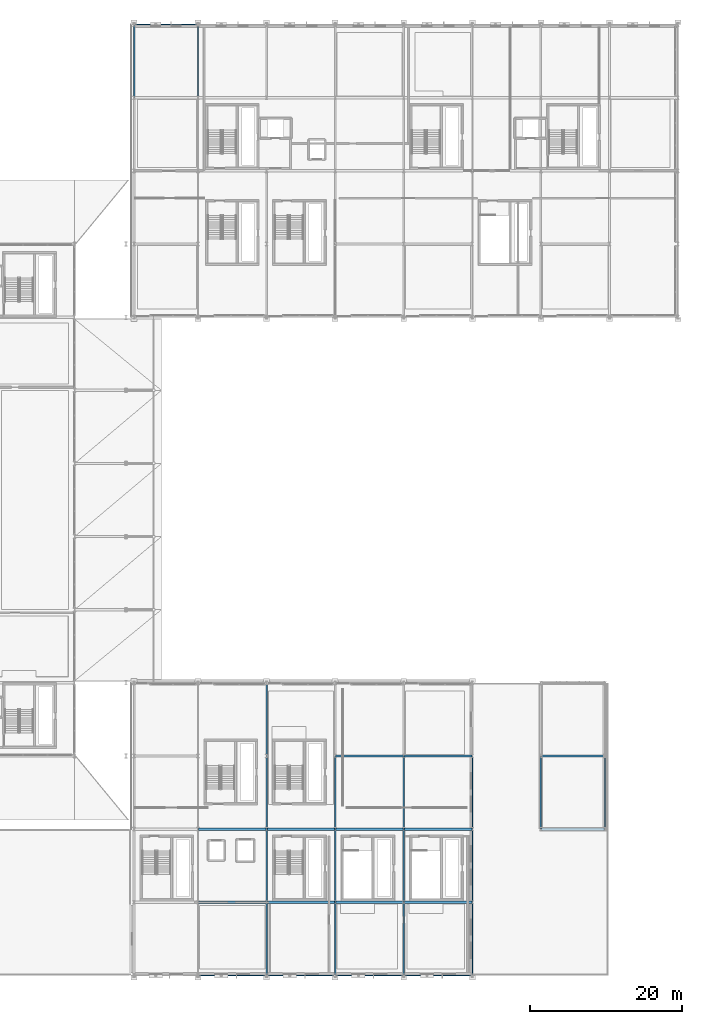
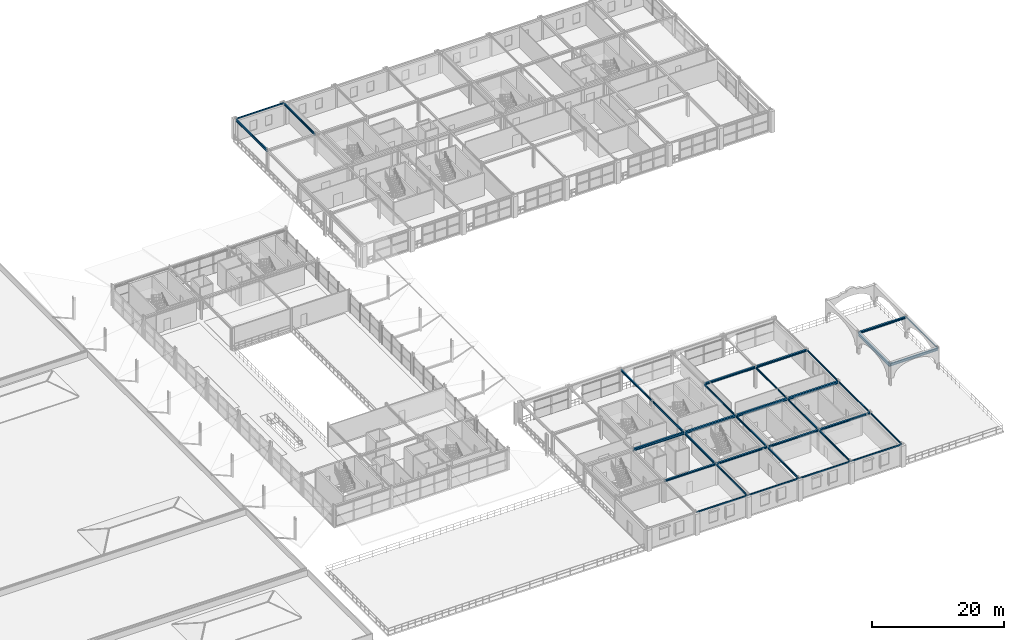
# One storey, part 27 of 81: 34 beams.
"""IFC4 building model written with IfcOpenShell, lengths in metres."""

from ifc_helpers import new_model, si_unit, direction, frame, origin, origin_2d, place, context, subcontext, project, spatial, hollow_rectangle, i_section, extrude, material, material_profile, profile_set, type_object, element, save


model = new_model("IFC4")

# Units and contexts
model_context = context("Model", 3, precision=1e-05, world=origin(), true_north=direction((0.0, 1.0)))
body_context = subcontext(model_context, "Body", "Model", "MODEL_VIEW")
ifc_project = project(units=[si_unit("LENGTHUNIT", "METRE"), si_unit("AREAUNIT", "SQUARE_METRE"), si_unit("VOLUMEUNIT", "CUBIC_METRE"), si_unit("PLANEANGLEUNIT", "RADIAN"), si_unit("MASSUNIT", "GRAM", prefix="KILO")], contexts=[model_context])

# Site, building, storey
site_placement = place(None, origin())
site = spatial("IfcSite", under=ifc_project, at=site_placement, CompositionType="ELEMENT")
building_placement = place(site_placement, origin())
building = spatial("IfcBuilding", under=site, at=building_placement, Name="Myrtia Square Station", CompositionType="ELEMENT")
storey_placement = place(building_placement, frame((0.0, 0.0, 10.800048828125)))
storey = spatial("IfcBuildingStorey", under=building, at=storey_placement, Name="L02", CompositionType="ELEMENT", Elevation=10.800048828125)

# Beams
ifc_material = material(Name="Steel S355", Category="steel")
ifc_material_profile_1 = material_profile(ifc_material, i_section(OverallWidth=0.300048828125, OverallDepth=0.35009765625, WebThickness=0.010009765625, FlangeThickness=0.017578125, FilletRadius=0.027099609375, at=origin_2d()), Name="HEA 360")
ifc_profile_set_1 = profile_set([ifc_material_profile_1], Name="Steel S355")
beam_type_1 = type_object("IfcBeamType", Name="BM-HEA360", PredefinedType="BEAM", material=ifc_profile_set_1)
for number, where, z_axis, x_axis, name in (
    (1, (144.050048828125, 28.800048828125, 3.760009765625), (1.0, 0.0, 0.0), (0.0, 1.0, 0.0), "Structural girder BMX-L02-0723"),
    (2, (153.050048828125, 28.800048828125, 3.760009765625), (1.0, 0.0, 0.0), (0.0, 1.0, 0.0), "Structural girder BMX-L02-0724"),
):
    element("IfcBeam", number, at=place(storey_placement, frame(where, z_axis=z_axis, x_axis=x_axis)), inside=storey, type_object=beam_type_1, Name=name, PredefinedType="BEAM", context=body_context, shape_type="SweptSolid", body=[
        extrude(i_section(OverallWidth=0.300048828125, OverallDepth=0.35009765625, WebThickness=0.010009765625, FlangeThickness=0.017578125, FilletRadius=0.027099609375, at=origin_2d()), origin(), (0.0, 0.0, 1.0), 8.89990234375),
    ])
beam_1_placement = place(storey_placement, frame((171.050048828125, 28.800048828125, 3.780029296875), z_axis=(1.0, 0.0, 0.0), x_axis=(0.0, 1.0, 0.0)))
element("IfcBeam", 3, at=beam_1_placement, inside=storey, type_object=beam_type_1, Name="Structural girder BMX-L02-0725", PredefinedType="BEAM", context=body_context, shape_type="SweptSolid", body=[
    extrude(i_section(OverallWidth=0.300048828125, OverallDepth=0.35009765625, WebThickness=0.010009765625, FlangeThickness=0.017578125, FilletRadius=0.027099609375, at=origin_2d()), origin(), (0.0, 0.0, 1.0), 8.300048828125),
])
ifc_material_profile_2 = material_profile(ifc_material, i_section(OverallWidth=0.300048828125, OverallDepth=0.43994140625, WebThickness=0.011474609375, FlangeThickness=0.02099609375, FilletRadius=0.027099609375, at=origin_2d()), Name="HEA 450")
ifc_profile_set_2 = profile_set([ifc_material_profile_2], Name="Steel S355")
beam_type_2 = type_object("IfcBeamType", Name="BM-HEA450", PredefinedType="BEAM", material=ifc_profile_set_2)
for number, where, z_axis, x_axis, name in (
    (4, (126.050048828125, 19.199951171875, 3.739990234375), (1.0, 0.0, 0.0), (0.0, 1.0, 0.0), "Structural girder BMX-L02-0717"),
    (5, (135.050048828125, 19.199951171875, 3.739990234375), (1.0, 0.0, 0.0), (0.0, 1.0, 0.0), "Structural girder BMX-L02-0718"),
    (6, (144.050048828125, 19.199951171875, 3.71484375), (1.0, 0.0, 0.0), (0.0, 1.0, 0.0), "Structural girder BMX-L02-0719"),
    (7, (153.050048828125, 19.199951171875, 3.71484375), (1.0, 0.0, 0.0), (0.0, 1.0, 0.0), "Structural girder BMX-L02-0720"),
):
    element("IfcBeam", number, at=place(storey_placement, frame(where, z_axis=z_axis, x_axis=x_axis)), inside=storey, type_object=beam_type_2, Name=name, PredefinedType="BEAM", context=body_context, shape_type="SweptSolid", body=[
        extrude(i_section(OverallWidth=0.300048828125, OverallDepth=0.43994140625, WebThickness=0.011474609375, FlangeThickness=0.02099609375, FilletRadius=0.027099609375, at=origin_2d()), origin(), (0.0, 0.0, 1.0), 8.89990234375),
    ])
beam_2_placement = place(storey_placement, frame((171.050048828125, 19.199951171875, 3.73486328125), z_axis=(1.0, 0.0, 0.0), x_axis=(0.0, 1.0, 0.0)))
element("IfcBeam", 8, at=beam_2_placement, inside=storey, type_object=beam_type_2, Name="Structural girder BMX-L02-0721", PredefinedType="BEAM", context=body_context, shape_type="SweptSolid", body=[
    extrude(i_section(OverallWidth=0.300048828125, OverallDepth=0.43994140625, WebThickness=0.011474609375, FlangeThickness=0.02099609375, FilletRadius=0.027099609375, at=origin_2d()), origin(), (0.0, 0.0, 1.0), 8.300048828125),
])
ifc_material_profile_3 = material_profile(ifc_material, i_section(OverallWidth=0.300048828125, OverallDepth=0.300048828125, WebThickness=0.010986328125, FlangeThickness=0.01904296875, FilletRadius=0.027099609375, at=origin_2d()), Name="HEB 300")
ifc_profile_set_3 = profile_set([ifc_material_profile_3], Name="Steel S355")
beam_type_3 = type_object("IfcBeamType", Name="BM-HEB300", PredefinedType="BEAM", material=ifc_profile_set_3)
for number, where, z_axis, x_axis, name in (
    (9, (126.050048828125, 9.60009765625, 3.81005859375), (1.0, 0.0, 0.0), (0.0, 1.0, 0.0), "Structural girder BMX-L02-0712"),
    (10, (135.050048828125, 9.60009765625, 3.81005859375), (1.0, 0.0, 0.0), (0.0, 1.0, 0.0), "Structural girder BMX-L02-0713"),
    (11, (144.050048828125, 9.60009765625, 3.784912109375), (1.0, 0.0, 0.0), (0.0, 1.0, 0.0), "Structural girder BMX-L02-0714"),
    (12, (153.050048828125, 9.60009765625, 3.784912109375), (1.0, 0.0, 0.0), (0.0, 1.0, 0.0), "Structural girder BMX-L02-0715"),
):
    element("IfcBeam", number, at=place(storey_placement, frame(where, z_axis=z_axis, x_axis=x_axis)), inside=storey, type_object=beam_type_3, Name=name, PredefinedType="BEAM", context=body_context, shape_type="SweptSolid", body=[
        extrude(i_section(OverallWidth=0.300048828125, OverallDepth=0.300048828125, WebThickness=0.010986328125, FlangeThickness=0.01904296875, FilletRadius=0.027099609375, at=origin_2d()), origin(), (0.0, 0.0, 1.0), 8.89990234375),
    ])
ifc_material_profile_4 = material_profile(ifc_material, i_section(OverallWidth=0.135009765625, OverallDepth=0.27001953125, WebThickness=0.006591796875, FlangeThickness=0.01025390625, FilletRadius=0.014892578125, at=origin_2d()), Name="IPE 270")
ifc_profile_set_4 = profile_set([ifc_material_profile_4], Name="Steel S355")
beam_type_4 = type_object("IfcBeamType", Name="BM-IPE270", PredefinedType="BEAM", material=ifc_profile_set_4)
for number, where, z_axis, x_axis, name in (
    (13, (162.0, 0.050048828125, 3.800048828125), (0.0, 1.0, 0.0), (-1.0, 0.0, 0.0), "Structural girder BMY-L02-0746"),
    (14, (162.0, 9.64990234375, 3.800048828125), (0.0, 1.0, 0.0), (-1.0, 0.0, 0.0), "Structural girder BMY-L02-0747"),
    (15, (162.0, 19.25, 3.800048828125), (0.0, 1.0, 0.0), (-1.0, 0.0, 0.0), "Structural girder BMY-L02-0748"),
):
    element("IfcBeam", number, at=place(storey_placement, frame(where, z_axis=z_axis, x_axis=x_axis)), inside=storey, type_object=beam_type_4, Name=name, PredefinedType="BEAM", context=body_context, shape_type="SweptSolid", body=[
        extrude(i_section(OverallWidth=0.135009765625, OverallDepth=0.27001953125, WebThickness=0.006591796875, FlangeThickness=0.01025390625, FilletRadius=0.014892578125, at=origin_2d()), origin(), (0.0, 0.0, 1.0), 9.5),
    ])
ifc_material_profile_5 = material_profile(ifc_material, i_section(OverallWidth=0.14990234375, OverallDepth=0.300048828125, WebThickness=0.007080078125, FlangeThickness=0.0107421875, FilletRadius=0.014892578125, at=origin_2d()), Name="IPE 300")
ifc_profile_set_5 = profile_set([ifc_material_profile_5], Name="Steel S355")
beam_type_5 = type_object("IfcBeamType", Name="BM-IPE300", PredefinedType="BEAM", material=ifc_profile_set_5)
for number, where, z_axis, x_axis, name in (
    (16, (153.0, 0.050048828125, 3.784912109375), (0.0, 1.0, 0.0), (-1.0, 0.0, 0.0), "Structural girder BMY-L02-0742"),
    (17, (153.0, 9.64990234375, 3.784912109375), (0.0, 1.0, 0.0), (-1.0, 0.0, 0.0), "Structural girder BMY-L02-0743"),
    (18, (153.0, 19.25, 3.784912109375), (0.0, 1.0, 0.0), (-1.0, 0.0, 0.0), "Structural girder BMY-L02-0744"),
):
    element("IfcBeam", number, at=place(storey_placement, frame(where, z_axis=z_axis, x_axis=x_axis)), inside=storey, type_object=beam_type_5, Name=name, PredefinedType="BEAM", context=body_context, shape_type="SweptSolid", body=[
        extrude(i_section(OverallWidth=0.14990234375, OverallDepth=0.300048828125, WebThickness=0.007080078125, FlangeThickness=0.0107421875, FilletRadius=0.014892578125, at=origin_2d()), origin(), (0.0, 0.0, 1.0), 9.5),
    ])
ifc_material_profile_6 = material_profile(ifc_material, i_section(OverallWidth=0.159912109375, OverallDepth=0.330078125, WebThickness=0.007568359375, FlangeThickness=0.011474609375, FilletRadius=0.01806640625, at=origin_2d()), Name="IPE 330")
ifc_profile_set_6 = profile_set([ifc_material_profile_6], Name="Steel S355")
beam_type_6 = type_object("IfcBeamType", Name="BM-IPE330", PredefinedType="BEAM", material=ifc_profile_set_6)
for number, where, z_axis, x_axis, name in (
    (19, (144.0, 0.050048828125, 3.77001953125), (0.0, 1.0, 0.0), (-1.0, 0.0, 0.0), "Structural girder BMY-L02-0738"),
    (20, (144.0, 9.64990234375, 3.77001953125), (0.0, 1.0, 0.0), (-1.0, 0.0, 0.0), "Structural girder BMY-L02-0739"),
    (21, (144.0, 19.25, 3.77001953125), (0.0, 1.0, 0.0), (-1.0, 0.0, 0.0), "Structural girder BMY-L02-0740"),
):
    element("IfcBeam", number, at=place(storey_placement, frame(where, z_axis=z_axis, x_axis=x_axis)), inside=storey, type_object=beam_type_6, Name=name, PredefinedType="BEAM", context=body_context, shape_type="SweptSolid", body=[
        extrude(i_section(OverallWidth=0.159912109375, OverallDepth=0.330078125, WebThickness=0.007568359375, FlangeThickness=0.011474609375, FilletRadius=0.01806640625, at=origin_2d()), origin(), (0.0, 0.0, 1.0), 9.5),
    ])
ifc_material_profile_7 = material_profile(ifc_material, i_section(OverallWidth=0.169921875, OverallDepth=0.360107421875, WebThickness=0.008056640625, FlangeThickness=0.0126953125, FilletRadius=0.01806640625, at=origin_2d()), Name="IPE 360")
ifc_profile_set_7 = profile_set([ifc_material_profile_7], Name="Steel S355")
beam_type_7 = type_object("IfcBeamType", Name="BM-IPE360", PredefinedType="BEAM", material=ifc_profile_set_7)
for number, where, z_axis, x_axis, name in (
    (22, (135.0, 0.050048828125, 3.780029296875), (0.0, 1.0, 0.0), (-1.0, 0.0, 0.0), "Structural girder BMY-L02-0734"),
    (23, (135.0, 9.64990234375, 3.780029296875), (0.0, 1.0, 0.0), (-1.0, 0.0, 0.0), "Structural girder BMY-L02-0735"),
    (24, (135.0, 19.25, 3.780029296875), (0.0, 1.0, 0.0), (-1.0, 0.0, 0.0), "Structural girder BMY-L02-0736"),
    (25, (135.0, 28.85009765625, 3.780029296875), (0.0, 1.0, 0.0), (-1.0, 0.0, 0.0), "Structural girder BMY-L02-0737"),
):
    element("IfcBeam", number, at=place(storey_placement, frame(where, z_axis=z_axis, x_axis=x_axis)), inside=storey, type_object=beam_type_7, Name=name, PredefinedType="BEAM", context=body_context, shape_type="SweptSolid", body=[
        extrude(i_section(OverallWidth=0.169921875, OverallDepth=0.360107421875, WebThickness=0.008056640625, FlangeThickness=0.0126953125, FilletRadius=0.01806640625, at=origin_2d()), origin(), (0.0, 0.0, 1.0), 9.5),
    ])
ifc_material_profile_8 = material_profile(ifc_material, i_section(OverallWidth=0.179931640625, OverallDepth=0.39990234375, WebThickness=0.008544921875, FlangeThickness=0.013427734375, FilletRadius=0.02099609375, at=origin_2d()), Name="IPE 400")
ifc_profile_set_8 = profile_set([ifc_material_profile_8], Name="Steel S355")
beam_type_8 = type_object("IfcBeamType", Name="BM-IPE400", PredefinedType="BEAM", material=ifc_profile_set_8)
beam_3_placement = place(storey_placement, frame((126.0, 115.25, 3.7548828125), z_axis=(0.0, 1.0, 0.0), x_axis=(-1.0, 0.0, 0.0)))
element("IfcBeam", 26, at=beam_3_placement, inside=storey, type_object=beam_type_8, Name="Structural girder BMY-L02-0779", PredefinedType="BEAM", context=body_context, shape_type="SweptSolid", body=[
    extrude(i_section(OverallWidth=0.179931640625, OverallDepth=0.39990234375, WebThickness=0.008544921875, FlangeThickness=0.013427734375, FilletRadius=0.02099609375, at=origin_2d()), origin(), (0.0, 0.0, 1.0), 9.5),
])
ifc_material_profile_9 = material_profile(ifc_material, i_section(OverallWidth=0.18994140625, OverallDepth=0.449951171875, WebThickness=0.009521484375, FlangeThickness=0.0146484375, FilletRadius=0.02099609375, at=origin_2d()), Name="IPE 450")
ifc_profile_set_9 = profile_set([ifc_material_profile_9], Name="Steel S355")
beam_type_9 = type_object("IfcBeamType", Name="BM-IPE450", PredefinedType="BEAM", material=ifc_profile_set_9)
beam_4_placement = place(storey_placement, frame((117.60009765625, 115.25, 3.72998046875), z_axis=(0.0, 1.0, 0.0), x_axis=(-1.0, 0.0, 0.0)))
element("IfcBeam", 27, at=beam_4_placement, inside=storey, type_object=beam_type_9, Name="Structural girder BMY-L02-0775", PredefinedType="BEAM", context=body_context, shape_type="SweptSolid", body=[
    extrude(i_section(OverallWidth=0.18994140625, OverallDepth=0.449951171875, WebThickness=0.009521484375, FlangeThickness=0.0146484375, FilletRadius=0.02099609375, at=origin_2d()), origin(), (0.0, 0.0, 1.0), 9.5),
])
ifc_material_profile_10 = material_profile(ifc_material, i_section(OverallWidth=0.219970703125, OverallDepth=0.60009765625, WebThickness=0.011962890625, FlangeThickness=0.01904296875, FilletRadius=0.02392578125, at=origin_2d()), Name="IPE 600")
ifc_profile_set_10 = profile_set([ifc_material_profile_10], Name="Steel S355")
beam_type_10 = type_object("IfcBeamType", Name="BM-IPE600", PredefinedType="BEAM", material=ifc_profile_set_10)
beam_5_placement = place(storey_placement, frame((171.0, 19.25, 3.655029296875), z_axis=(0.0, 1.0, 0.0), x_axis=(-1.0, 0.0, 0.0)))
element("IfcBeam", 28, at=beam_5_placement, inside=storey, type_object=beam_type_10, Name="Structural girder BMY-L02-0750", PredefinedType="BEAM", context=body_context, shape_type="SweptSolid", body=[
    extrude(i_section(OverallWidth=0.219970703125, OverallDepth=0.60009765625, WebThickness=0.011962890625, FlangeThickness=0.01904296875, FilletRadius=0.02392578125, at=origin_2d()), origin(), (0.0, 0.0, 1.0), 9.5),
])
ifc_material_profile_11 = material_profile(ifc_material, hollow_rectangle(XDim=0.14990234375, YDim=0.25, WallThickness=0.012451171875, InnerFilletRadius=0.012451171875, OuterFilletRadius=0.02490234375, at=origin_2d()), Name="RHS 250x150x12.5")
ifc_profile_set_11 = profile_set([ifc_material_profile_11], Name="Steel S355")
beam_type_11 = type_object("IfcBeamType", Name="SPN-RHS250", PredefinedType="SPANDREL", material=ifc_profile_set_11)
for number, where, z_axis, x_axis, name in (
    (29, (126.050048828125, 0.0, 3.8349609375), (1.0, 0.0, 0.0), (0.0, 1.0, 0.0), "Structural girder SPN-L02-0197"),
    (30, (135.050048828125, 0.0, 3.8349609375), (1.0, 0.0, 0.0), (0.0, 1.0, 0.0), "Structural girder SPN-L02-0198"),
    (31, (144.050048828125, 0.0, 3.81005859375), (1.0, 0.0, 0.0), (0.0, 1.0, 0.0), "Structural girder SPN-L02-0199"),
    (32, (153.050048828125, 0.0, 3.81005859375), (1.0, 0.0, 0.0), (0.0, 1.0, 0.0), "Structural girder SPN-L02-0200"),
):
    element("IfcBeam", number, at=place(storey_placement, frame(where, z_axis=z_axis, x_axis=x_axis)), inside=storey, type_object=beam_type_11, Name=name, PredefinedType="SPANDREL", context=body_context, shape_type="SweptSolid", body=[
        extrude(hollow_rectangle(XDim=0.14990234375, YDim=0.25, WallThickness=0.012451171875, InnerFilletRadius=0.012451171875, OuterFilletRadius=0.02490234375, at=origin_2d()), origin(), (0.0, 0.0, 1.0), 8.89990234375),
    ])
beam_6_placement = place(storey_placement, frame((179.39990234375, 19.25, 3.829833984375), z_axis=(0.0, 1.0, 0.0), x_axis=(-1.0, 0.0, 0.0)))
element("IfcBeam", 33, at=beam_6_placement, inside=storey, type_object=beam_type_11, Name="Structural girder SPNY-L02-0207", PredefinedType="SPANDREL", context=body_context, shape_type="SweptSolid", body=[
    extrude(hollow_rectangle(XDim=0.14990234375, YDim=0.25, WallThickness=0.012451171875, InnerFilletRadius=0.012451171875, OuterFilletRadius=0.02490234375, at=origin_2d()), origin(), (0.0, 0.0, 1.0), 9.5),
])
beam_7_placement = place(storey_placement, frame((117.64990234375, 124.800048828125, 3.829833984375), z_axis=(1.0, 0.0, 0.0), x_axis=(0.0, 1.0, 0.0)))
element("IfcBeam", 34, at=beam_7_placement, inside=storey, type_object=beam_type_11, Name="Structural girder SPN-L02-0217", PredefinedType="SPANDREL", context=body_context, shape_type="SweptSolid", body=[
    extrude(hollow_rectangle(XDim=0.14990234375, YDim=0.25, WallThickness=0.012451171875, InnerFilletRadius=0.012451171875, OuterFilletRadius=0.02490234375, at=origin_2d()), origin(), (0.0, 0.0, 1.0), 8.300048828125),
])

save(model, "model.ifc")
